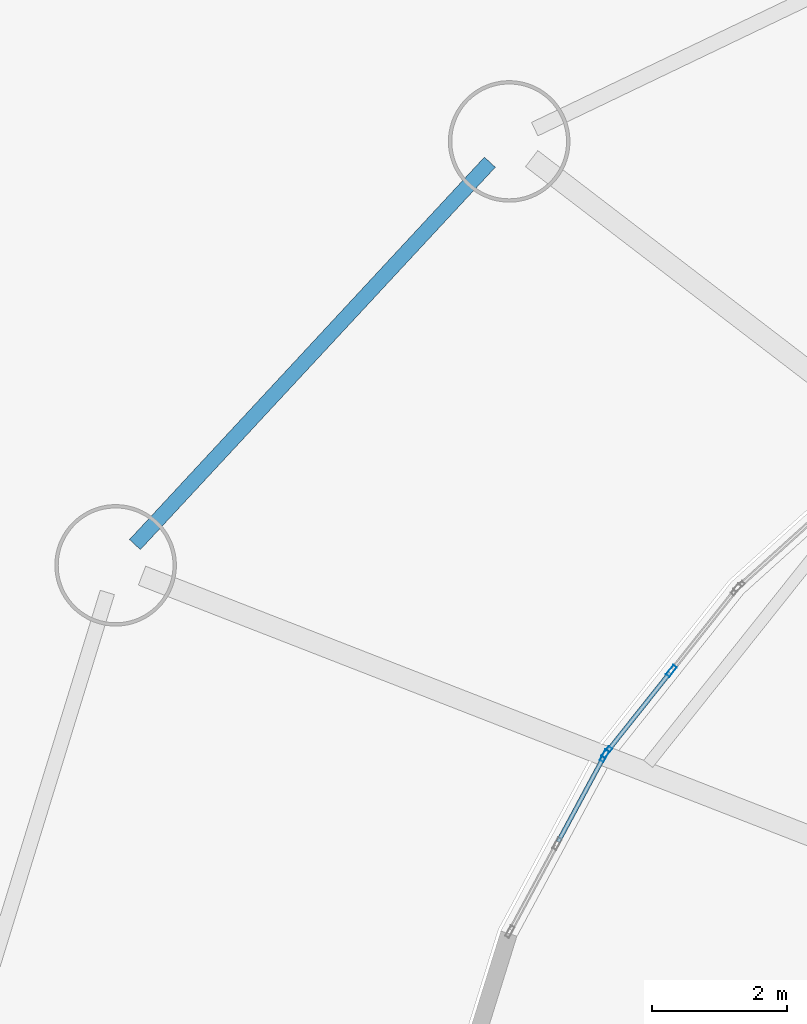
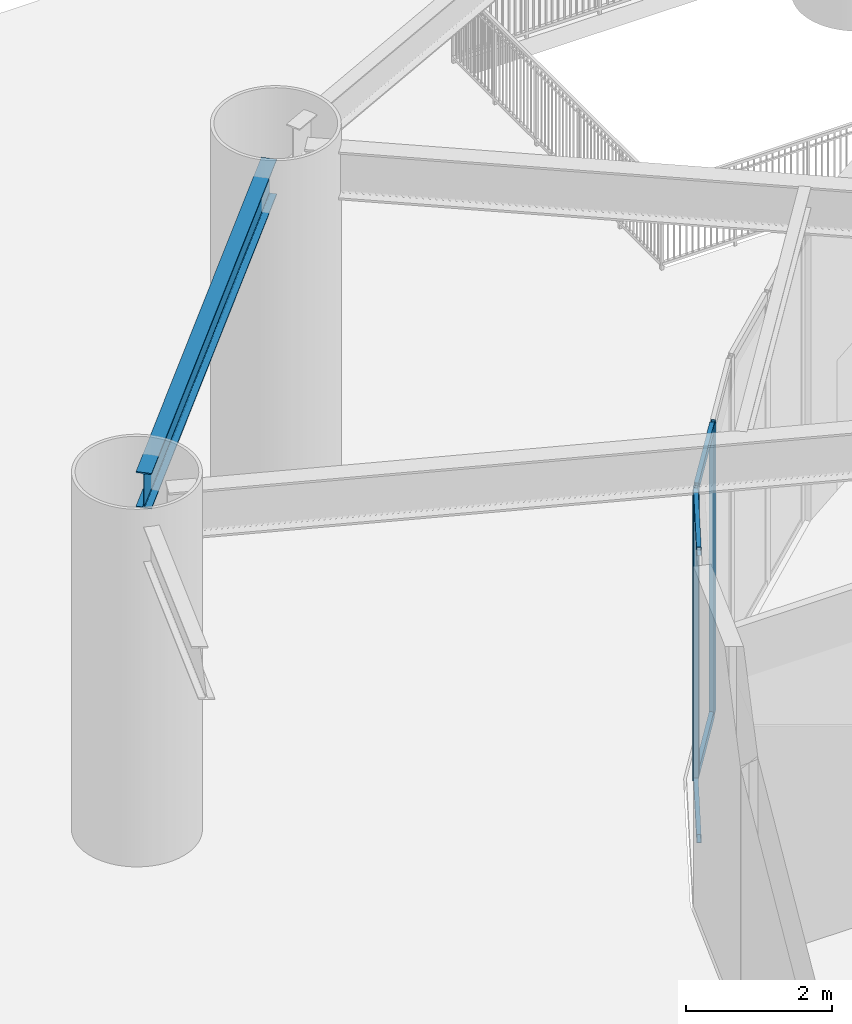
# One storey, part 19 of 46: 7 members, 1 beam, 2 elements without a shape of their own.
"""IFC4 building model written with IfcOpenShell, lengths in metres."""

from ifc_helpers import new_model, si_unit, direction, frame, origin, origin_2d, place, context, subcontext, project, spatial, hollow_rectangle, i_section, extrude, source, transform, mapped, material, layer, layer_set, material_profile, profile_set, type_object, element, aggregate, save


model = new_model("IFC4")

# Units and contexts
model_context = context("Model", 3, precision=1e-05, world=origin(), true_north=direction((0.0, 1.0)))
body_context = subcontext(model_context, "Body", "Model", "MODEL_VIEW")
ifc_project = project(units=[si_unit("LENGTHUNIT", "METRE"), si_unit("AREAUNIT", "SQUARE_METRE"), si_unit("VOLUMEUNIT", "CUBIC_METRE"), si_unit("PLANEANGLEUNIT", "RADIAN"), si_unit("MASSUNIT", "GRAM", prefix="KILO")], contexts=[model_context])

# Site, building, storey
site_placement = place(None, origin())
site = spatial("IfcSite", under=ifc_project, at=site_placement, CompositionType="ELEMENT")
building_placement = place(site_placement, origin())
building = spatial("IfcBuilding", under=site, at=building_placement, Name="Linh Dai School and Residence Tower", CompositionType="ELEMENT")
storey_placement = place(building_placement, origin())
storey = spatial("IfcBuildingStorey", under=building, at=storey_placement, Name="L00", CompositionType="ELEMENT", Elevation=0.0)

# Beam
ifc_material_1 = material(Name="Structural Steel S355JR", Category="steel")
ifc_material_profile_1 = material_profile(ifc_material_1, i_section(OverallWidth=0.219970703125, OverallDepth=0.60009765625, WebThickness=0.011962890625, FlangeThickness=0.01904296875, FilletRadius=0.02392578125, at=origin_2d()), Name="IPE 600")
ifc_profile_set_1 = profile_set([ifc_material_profile_1], Name="Structural Steel S355JR")
beam_type = type_object("IfcBeamType", Name="BM-RB60", PredefinedType="BEAM", material=ifc_profile_set_1)
beam_placement = place(storey_placement, frame((13.009033203125, 44.0927734375, 5.39990234375), z_axis=(-0.680345653715, -0.73289139132, 0.0), x_axis=(0.73289139132, -0.680345653715, 0.0)))
element("IfcBeam", 1, at=beam_placement, inside=storey, type_object=beam_type, Name="L00 Perimeter Elliptical Ring Beam 07", PredefinedType="BEAM", context=body_context, shape_type="SweptSolid", body=[
    extrude(i_section(OverallWidth=0.219970703125, OverallDepth=0.60009765625, WebThickness=0.011962890625, FlangeThickness=0.01904296875, FilletRadius=0.02392578125, at=origin_2d()), origin(), (0.0, 0.0, 1.0), 7.726806640625),
])

# Curtain wall, members
ifc_material_2 = material(Name="Aluminium Anodised Curtain Wall", Category="aluminium")
ifc_layer = layer(ifc_material_2, 0.179931640625)
ifc_layer_set = layer_set([ifc_layer], Name="Aluminium Anodised Curtain Wall")
curtain_wall_type = type_object("IfcCurtainWallType", Name="CW-SYS-1", PredefinedType="USERDEFINED", material=ifc_layer_set)
curtain_wall_1_placement = place(storey_placement, origin())
curtain_wall_1 = element("IfcCurtainWall", 2, at=curtain_wall_1_placement, inside=storey, type_object=curtain_wall_type, Name="L00 CW1 Curtain Wall 17", ObjectType="UNITISED CURTAIN WALL", PredefinedType="USERDEFINED")
ifc_material_3 = material(Name="Aluminium Alloy 6063-T6", Category="aluminium")
ifc_material_profile_2 = material_profile(ifc_material_3, hollow_rectangle(XDim=0.06494140625, YDim=0.179931640625, WallThickness=0.00390625, at=origin_2d()), Name="RHS 180x65x4")
ifc_profile_set_2 = profile_set([ifc_material_profile_2], Name="Aluminium Alloy 6063-T6")
member_type_1 = type_object("IfcMemberType", Name="CW-SYS-1-MUL", PredefinedType="MULLION", material=ifc_profile_set_2)
shared_shape_1 = source(origin(), body_context, "Body", "SweptSolid", [
    extrude(hollow_rectangle(XDim=0.06494140625, YDim=0.179931640625, WallThickness=0.00390625, at=origin_2d()), origin(), (0.0, 0.0, 1.0), 4.885009765625),
])
member_1_placement = place(storey_placement, frame((14.740234375, 35.355224609375, 0.0), z_axis=(0.0, 0.0, 1.0), x_axis=(-0.782771274016, 0.622309515093, 0.0)))
member_1 = element("IfcMember", 3, at=member_1_placement, type_object=member_type_1, Name="CW1 mullion 1", PredefinedType="MULLION", context=body_context, shape_type="MappedRepresentation", body=[
    mapped(shared_shape_1, transform((0.0, 0.0, 0.0), x_axis=(1.0, 0.0, 0.0), y_axis=(0.0, 1.0, 0.0), z_axis=(0.0, 0.0, 1.0), scale=1.0)),
])
member_2_placement = place(storey_placement, frame((15.697265625, 36.55908203125, 0.0), z_axis=(0.0, 0.0, 1.0), x_axis=(-0.782771274016, 0.622309515093, 0.0)))
member_2 = element("IfcMember", 4, at=member_2_placement, type_object=member_type_1, Name="CW1 mullion 2", PredefinedType="MULLION", context=body_context, shape_type="MappedRepresentation", body=[
    mapped(shared_shape_1, transform((0.0, 0.0, 0.0), x_axis=(1.0, 0.0, 0.0), y_axis=(0.0, 1.0, 0.0), z_axis=(0.0, 0.0, 1.0), scale=1.0)),
])

curtain_wall_2_placement = place(storey_placement, origin())
curtain_wall_2 = element("IfcCurtainWall", 5, at=curtain_wall_2_placement, inside=storey, type_object=curtain_wall_type, Name="L00 CW1 Curtain Wall 18", ObjectType="UNITISED CURTAIN WALL", PredefinedType="USERDEFINED")
member_3_placement = place(storey_placement, frame((14.704833984375, 35.30126953125, 0.0), z_axis=(0.0, 0.0, 1.0), x_axis=(-0.880871524135, 0.473355424568, 0.0)))
member_3 = element("IfcMember", 6, at=member_3_placement, type_object=member_type_1, Name="CW1 mullion 3", PredefinedType="MULLION", context=body_context, shape_type="MappedRepresentation", body=[
    mapped(shared_shape_1, transform((0.0, 0.0, 0.0), x_axis=(1.0, 0.0, 0.0), y_axis=(0.0, 1.0, 0.0), z_axis=(0.0, 0.0, 1.0), scale=1.0)),
])
ifc_material_profile_3 = material_profile(ifc_material_3, hollow_rectangle(XDim=0.06494140625, YDim=0.139892578125, WallThickness=0.00390625, at=origin_2d()), Name="RHS 140x65x4")
ifc_profile_set_3 = profile_set([ifc_material_profile_3], Name="Aluminium Alloy 6063-T6")
member_type_2 = type_object("IfcMemberType", Name="CW-SYS-1-TRN", PredefinedType="USERDEFINED", material=ifc_profile_set_3)
shared_shape_2 = source(origin(), body_context, "Body", "SweptSolid", [
    extrude(hollow_rectangle(XDim=0.06494140625, YDim=0.139892578125, WallThickness=0.00390625, at=origin_2d()), origin(), (0.0, 0.0, 1.0), 1.41357421875),
])
member_4_placement = place(storey_placement, frame((14.020263671875, 34.027587890625, 0.032470703125), z_axis=(0.473409612906, 0.880842402708, 0.0), x_axis=(-0.880842402708, 0.473409612906, 0.0)))
member_4 = element("IfcMember", 7, at=member_4_placement, type_object=member_type_2, Name="CW1 transom 2.1", ObjectType="TRANSOM", PredefinedType="USERDEFINED", context=body_context, shape_type="MappedRepresentation", body=[
    mapped(shared_shape_2, transform((0.0, 0.0, 0.0), x_axis=(1.0, 0.0, 0.0), y_axis=(0.0, 1.0, 0.0), z_axis=(0.0, 0.0, 1.0), scale=1.0)),
])
member_5_placement = place(storey_placement, frame((14.020263671875, 34.027587890625, 4.8525390625), z_axis=(0.473409612906, 0.880842402708, 0.0), x_axis=(-0.880842402708, 0.473409612906, 0.0)))
member_5 = element("IfcMember", 8, at=member_5_placement, type_object=member_type_2, Name="CW1 transom 2.2", ObjectType="TRANSOM", PredefinedType="USERDEFINED", context=body_context, shape_type="MappedRepresentation", body=[
    mapped(shared_shape_2, transform((0.0, 0.0, 0.0), x_axis=(1.0, 0.0, 0.0), y_axis=(0.0, 1.0, 0.0), z_axis=(0.0, 0.0, 1.0), scale=1.0)),
])
aggregate(curtain_wall_2, [member_3, member_4, member_5])

# Member
shared_shape_3 = source(origin(), body_context, "Body", "SweptSolid", [
    extrude(hollow_rectangle(XDim=0.06494140625, YDim=0.139892578125, WallThickness=0.00390625, at=origin_2d()), origin(), (0.0, 0.0, 1.0), 1.47265625),
])
member_6_placement = place(storey_placement, frame((14.760498046875, 35.380859375, 0.032470703125), z_axis=(0.622306638591, 0.782773560849, 0.0), x_axis=(-0.782773560849, 0.622306638591, 0.0)))
member_6 = element("IfcMember", 9, at=member_6_placement, type_object=member_type_2, Name="CW1 transom 1.1", ObjectType="TRANSOM", PredefinedType="USERDEFINED", context=body_context, shape_type="MappedRepresentation", body=[
    mapped(shared_shape_3, transform((0.0, 0.0, 0.0), x_axis=(1.0, 0.0, 0.0), y_axis=(0.0, 1.0, 0.0), z_axis=(0.0, 0.0, 1.0), scale=1.0)),
])

member_7_placement = place(storey_placement, frame((14.760498046875, 35.380859375, 4.8525390625), z_axis=(0.622306638591, 0.782773560849, 0.0), x_axis=(-0.782773560849, 0.622306638591, 0.0)))
member_7 = element("IfcMember", 10, at=member_7_placement, type_object=member_type_2, Name="CW1 transom 1.2", ObjectType="TRANSOM", PredefinedType="USERDEFINED", context=body_context, shape_type="MappedRepresentation", body=[
    mapped(shared_shape_3, transform((0.0, 0.0, 0.0), x_axis=(1.0, 0.0, 0.0), y_axis=(0.0, 1.0, 0.0), z_axis=(0.0, 0.0, 1.0), scale=1.0)),
])

aggregate(curtain_wall_1, [member_1, member_2, member_6, member_7])

save(model, "model.ifc")
